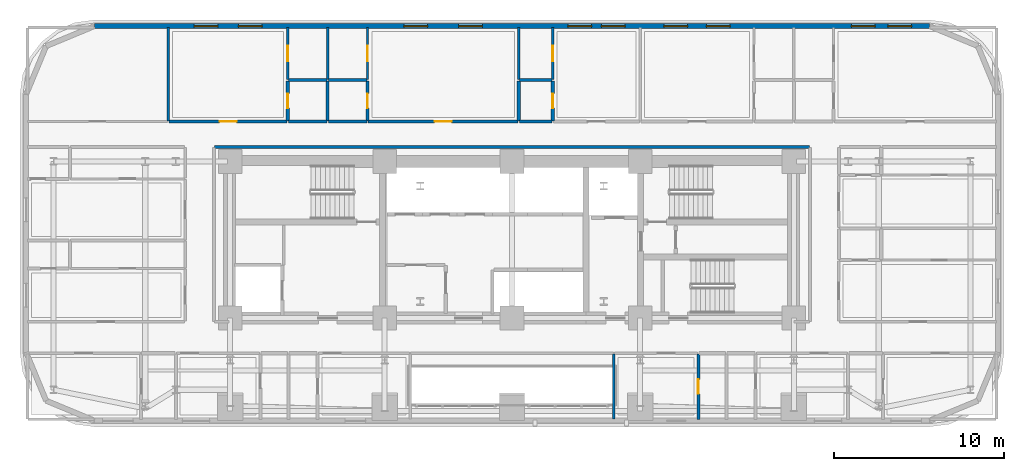
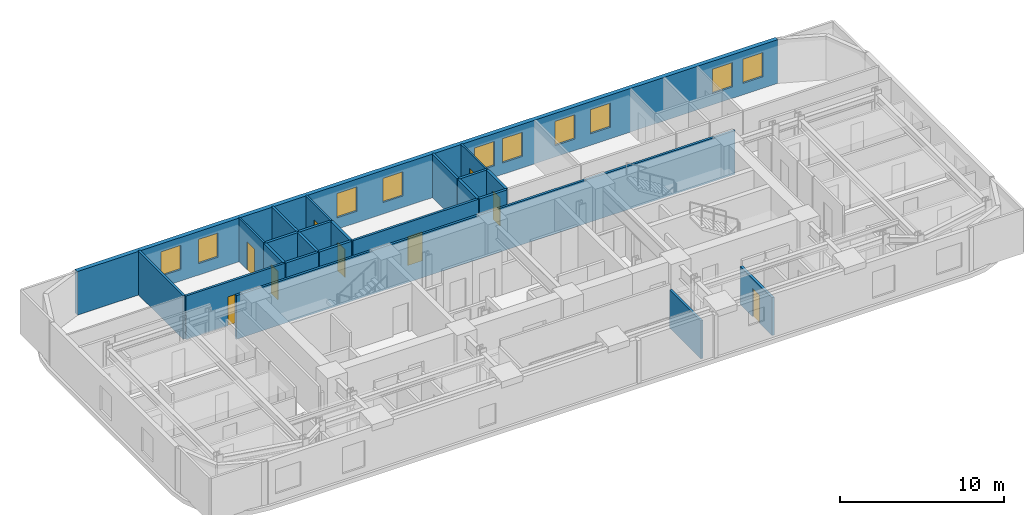
# One storey, part 9 of 16: 23 walls, 10 windows, 9 doors, 19 openings.
"""IFC4 building model written with IfcOpenShell, lengths in metres."""

from ifc_helpers import new_model, si_unit, direction, frame, frame_2d, origin, place, context, subcontext, project, spatial, rectangle, extrude, material, layer, layer_set, type_object, element, fill, save


model = new_model("IFC4")

# Units and contexts
model_context = context("Model", 3, precision=1e-05, world=origin(), true_north=direction((0.0, 1.0)))
body_context = subcontext(model_context, "Body", "Model", "MODEL_VIEW")
ifc_project = project(units=[si_unit("LENGTHUNIT", "METRE"), si_unit("AREAUNIT", "SQUARE_METRE"), si_unit("VOLUMEUNIT", "CUBIC_METRE"), si_unit("PLANEANGLEUNIT", "RADIAN"), si_unit("MASSUNIT", "GRAM", prefix="KILO")], contexts=[model_context])

# Site, building, storey
site_placement = place(None, origin())
site = spatial("IfcSite", under=ifc_project, at=site_placement, CompositionType="ELEMENT")
building_placement = place(site_placement, origin())
building = spatial("IfcBuilding", under=site, at=building_placement, Name="Zarnavel Station Tower", CompositionType="ELEMENT")
storey_placement = place(building_placement, frame((0.0, 0.0, 39.5)))
storey = spatial("IfcBuildingStorey", under=building, at=storey_placement, Name="L10", CompositionType="ELEMENT", Elevation=39.5)

# Wall, openings, windows
ifc_material_1 = material(Name="Precast concrete C45/55 (Dark Basalt Finish)", Category="masonry")
ifc_layer_1 = layer(ifc_material_1, 0.300048828125)
ifc_layer_set_1 = layer_set([ifc_layer_1], Name="EW_BASALT_300")
wall_type_1 = type_object("IfcWallType", Name="EW_BASALT_300", PredefinedType="SOLIDWALL", material=ifc_layer_set_1)
wall_1_placement = place(storey_placement, frame((4.199951171875, 45.02001953125, 0.0), z_axis=(0.0, 0.0, 1.0), x_axis=(1.0, 0.0, 0.0)))
wall_1 = element("IfcWall", 1, at=wall_1_placement, inside=storey, type_object=wall_type_1, Name="L10 Exterior Basalt Masonry Frame Wall 06", PredefinedType="SOLIDWALL", context=body_context, shape_type="SweptSolid", body=[
    extrude(rectangle(XDim=49.199951171875, YDim=0.300048828125, at=frame_2d((24.60009765625, 0.0))), origin(), (0.0, 0.0, 1.0), 3.239990234375),
])
opening_1_placement = place(wall_1_placement, frame((5.870361328125, 0.0, 0.85009765625)))
opening_1 = element("IfcOpeningElement", 2, at=opening_1_placement, cuts=wall_1, Name="Opening WN01", PredefinedType="OPENING", context=body_context, shape_type="SweptSolid", body=[
    extrude(rectangle(XDim=1.39990234375, YDim=1.800048828125, at=frame_2d((0.699951171875, 0.89990234375))), frame((0.0, 0.159912109375, 0.0), z_axis=(0.0, -1.0, 0.0), x_axis=(1.0, 0.0, 0.0)), (0.0, 0.0, 1.0), 0.320068359375),
])
opening_2_placement = place(wall_1_placement, frame((8.480712890625, 0.0, 0.85009765625)))
opening_2 = element("IfcOpeningElement", 3, at=opening_2_placement, cuts=wall_1, Name="Opening WN01", PredefinedType="OPENING", context=body_context, shape_type="SweptSolid", body=[
    extrude(rectangle(XDim=1.39990234375, YDim=1.800048828125, at=frame_2d((0.699951171875, 0.89990234375))), frame((0.0, 0.159912109375, 0.0), z_axis=(0.0, -1.0, 0.0), x_axis=(1.0, 0.0, 0.0)), (0.0, 0.0, 1.0), 0.320068359375),
])
opening_3_placement = place(wall_1_placement, frame((18.226806640625, 0.0, 0.85009765625)))
opening_3 = element("IfcOpeningElement", 4, at=opening_3_placement, cuts=wall_1, Name="Opening WN01", PredefinedType="OPENING", context=body_context, shape_type="SweptSolid", body=[
    extrude(rectangle(XDim=1.39990234375, YDim=1.800048828125, at=frame_2d((0.699951171875, 0.89990234375))), frame((0.0, 0.159912109375, 0.0), z_axis=(0.0, -1.0, 0.0), x_axis=(1.0, 0.0, 0.0)), (0.0, 0.0, 1.0), 0.320068359375),
])
opening_4_placement = place(wall_1_placement, frame((21.46240234375, 0.0, 0.85009765625)))
opening_4 = element("IfcOpeningElement", 5, at=opening_4_placement, cuts=wall_1, Name="Opening WN01", PredefinedType="OPENING", context=body_context, shape_type="SweptSolid", body=[
    extrude(rectangle(XDim=1.39990234375, YDim=1.800048828125, at=frame_2d((0.699951171875, 0.89990234375))), frame((0.0, 0.159912109375, 0.0), z_axis=(0.0, -1.0, 0.0), x_axis=(1.0, 0.0, 0.0)), (0.0, 0.0, 1.0), 0.320068359375),
])
opening_5_placement = place(wall_1_placement, frame((27.884033203125, 0.0, 0.85009765625)))
opening_5 = element("IfcOpeningElement", 6, at=opening_5_placement, cuts=wall_1, Name="Opening WN01", PredefinedType="OPENING", context=body_context, shape_type="SweptSolid", body=[
    extrude(rectangle(XDim=1.39990234375, YDim=1.800048828125, at=frame_2d((0.699951171875, 0.89990234375))), frame((0.0, 0.159912109375, 0.0), z_axis=(0.0, -1.0, 0.0), x_axis=(1.0, 0.0, 0.0)), (0.0, 0.0, 1.0), 0.320068359375),
])
opening_6_placement = place(wall_1_placement, frame((29.866943359375, 0.0, 0.85009765625)))
opening_6 = element("IfcOpeningElement", 7, at=opening_6_placement, cuts=wall_1, Name="Opening WN01", PredefinedType="OPENING", context=body_context, shape_type="SweptSolid", body=[
    extrude(rectangle(XDim=1.39990234375, YDim=1.800048828125, at=frame_2d((0.699951171875, 0.89990234375))), frame((0.0, 0.159912109375, 0.0), z_axis=(0.0, -1.0, 0.0), x_axis=(1.0, 0.0, 0.0)), (0.0, 0.0, 1.0), 0.320068359375),
])
opening_7_placement = place(wall_1_placement, frame((33.550048828125, 0.0, 0.85009765625)))
opening_7 = element("IfcOpeningElement", 8, at=opening_7_placement, cuts=wall_1, Name="Opening WN01", PredefinedType="OPENING", context=body_context, shape_type="SweptSolid", body=[
    extrude(rectangle(XDim=1.39990234375, YDim=1.800048828125, at=frame_2d((0.699951171875, 0.89990234375))), frame((0.0, 0.159912109375, 0.0), z_axis=(0.0, -1.0, 0.0), x_axis=(1.0, 0.0, 0.0)), (0.0, 0.0, 1.0), 0.320068359375),
])
opening_8_placement = place(wall_1_placement, frame((36.050048828125, 0.0, 0.85009765625)))
opening_8 = element("IfcOpeningElement", 9, at=opening_8_placement, cuts=wall_1, Name="Opening WN01", PredefinedType="OPENING", context=body_context, shape_type="SweptSolid", body=[
    extrude(rectangle(XDim=1.39990234375, YDim=1.800048828125, at=frame_2d((0.699951171875, 0.89990234375))), frame((0.0, 0.159912109375, 0.0), z_axis=(0.0, -1.0, 0.0), x_axis=(1.0, 0.0, 0.0)), (0.0, 0.0, 1.0), 0.320068359375),
])
opening_9_placement = place(wall_1_placement, frame((44.59326171875, 0.0, 0.85009765625)))
opening_9 = element("IfcOpeningElement", 10, at=opening_9_placement, cuts=wall_1, Name="Opening WN01", PredefinedType="OPENING", context=body_context, shape_type="SweptSolid", body=[
    extrude(rectangle(XDim=1.39990234375, YDim=1.800048828125, at=frame_2d((0.699951171875, 0.89990234375))), frame((0.0, 0.159912109375, 0.0), z_axis=(0.0, -1.0, 0.0), x_axis=(1.0, 0.0, 0.0)), (0.0, 0.0, 1.0), 0.320068359375),
])
opening_10_placement = place(wall_1_placement, frame((46.73681640625, 0.0, 0.85009765625)))
opening_10 = element("IfcOpeningElement", 11, at=opening_10_placement, cuts=wall_1, Name="Opening WN01", PredefinedType="OPENING", context=body_context, shape_type="SweptSolid", body=[
    extrude(rectangle(XDim=1.39990234375, YDim=1.800048828125, at=frame_2d((0.699951171875, 0.89990234375))), frame((0.0, 0.159912109375, 0.0), z_axis=(0.0, -1.0, 0.0), x_axis=(1.0, 0.0, 0.0)), (0.0, 0.0, 1.0), 0.320068359375),
])
ifc_material_2 = material(Name="Thermally Broken Black Aluminium and Low-E Dark Glass", Category="aluminium")
window_type = type_object("IfcWindowType", Name="WN_1400x1800", PartitioningType="DOUBLE_PANEL_VERTICAL", PredefinedType="WINDOW", material=ifc_material_2)
window_1_placement = place(opening_1_placement, origin())
window_1 = element("IfcWindow", 12, at=window_1_placement, inside=storey, type_object=window_type, Name="L10 Recessed Facade Window 01", OverallHeight=1.800048828125, OverallWidth=1.39990234375, PartitioningType="SINGLE_PANEL", PredefinedType="WINDOW", context=body_context, shape_type="SweptSolid", body=[
    extrude(rectangle(XDim=1.39990234375, YDim=1.800048828125, at=frame_2d((0.699951171875, 0.89990234375))), frame((0.0, 0.030029296875, 0.0), z_axis=(0.0, -1.0, 0.0), x_axis=(1.0, 0.0, 0.0)), (0.0, 0.0, 1.0), 0.06005859375),
])
fill(opening_1, window_1)
window_2_placement = place(opening_2_placement, origin())
window_2 = element("IfcWindow", 13, at=window_2_placement, inside=storey, type_object=window_type, Name="L10 Recessed Facade Window 02", OverallHeight=1.800048828125, OverallWidth=1.39990234375, PartitioningType="SINGLE_PANEL", PredefinedType="WINDOW", context=body_context, shape_type="SweptSolid", body=[
    extrude(rectangle(XDim=1.39990234375, YDim=1.800048828125, at=frame_2d((0.699951171875, 0.89990234375))), frame((0.0, 0.030029296875, 0.0), z_axis=(0.0, -1.0, 0.0), x_axis=(1.0, 0.0, 0.0)), (0.0, 0.0, 1.0), 0.06005859375),
])
fill(opening_2, window_2)
window_3_placement = place(opening_3_placement, origin())
window_3 = element("IfcWindow", 14, at=window_3_placement, inside=storey, type_object=window_type, Name="L10 Recessed Facade Window 03", OverallHeight=1.800048828125, OverallWidth=1.39990234375, PartitioningType="SINGLE_PANEL", PredefinedType="WINDOW", context=body_context, shape_type="SweptSolid", body=[
    extrude(rectangle(XDim=1.39990234375, YDim=1.800048828125, at=frame_2d((0.699951171875, 0.89990234375))), frame((0.0, 0.030029296875, 0.0), z_axis=(0.0, -1.0, 0.0), x_axis=(1.0, 0.0, 0.0)), (0.0, 0.0, 1.0), 0.06005859375),
])
fill(opening_3, window_3)
window_4_placement = place(opening_4_placement, origin())
window_4 = element("IfcWindow", 15, at=window_4_placement, inside=storey, type_object=window_type, Name="L10 Recessed Facade Window 04", OverallHeight=1.800048828125, OverallWidth=1.39990234375, PartitioningType="SINGLE_PANEL", PredefinedType="WINDOW", context=body_context, shape_type="SweptSolid", body=[
    extrude(rectangle(XDim=1.39990234375, YDim=1.800048828125, at=frame_2d((0.699951171875, 0.89990234375))), frame((0.0, 0.030029296875, 0.0), z_axis=(0.0, -1.0, 0.0), x_axis=(1.0, 0.0, 0.0)), (0.0, 0.0, 1.0), 0.06005859375),
])
fill(opening_4, window_4)
window_5_placement = place(opening_5_placement, origin())
window_5 = element("IfcWindow", 16, at=window_5_placement, inside=storey, type_object=window_type, Name="L10 Recessed Facade Window 05", OverallHeight=1.800048828125, OverallWidth=1.39990234375, PartitioningType="SINGLE_PANEL", PredefinedType="WINDOW", context=body_context, shape_type="SweptSolid", body=[
    extrude(rectangle(XDim=1.39990234375, YDim=1.800048828125, at=frame_2d((0.699951171875, 0.89990234375))), frame((0.0, 0.030029296875, 0.0), z_axis=(0.0, -1.0, 0.0), x_axis=(1.0, 0.0, 0.0)), (0.0, 0.0, 1.0), 0.06005859375),
])
fill(opening_5, window_5)
window_6_placement = place(opening_6_placement, origin())
window_6 = element("IfcWindow", 17, at=window_6_placement, inside=storey, type_object=window_type, Name="L10 Recessed Facade Window 06", OverallHeight=1.800048828125, OverallWidth=1.39990234375, PartitioningType="SINGLE_PANEL", PredefinedType="WINDOW", context=body_context, shape_type="SweptSolid", body=[
    extrude(rectangle(XDim=1.39990234375, YDim=1.800048828125, at=frame_2d((0.699951171875, 0.89990234375))), frame((0.0, 0.030029296875, 0.0), z_axis=(0.0, -1.0, 0.0), x_axis=(1.0, 0.0, 0.0)), (0.0, 0.0, 1.0), 0.06005859375),
])
fill(opening_6, window_6)
window_7_placement = place(opening_7_placement, origin())
window_7 = element("IfcWindow", 18, at=window_7_placement, inside=storey, type_object=window_type, Name="L10 Recessed Facade Window 07", OverallHeight=1.800048828125, OverallWidth=1.39990234375, PartitioningType="SINGLE_PANEL", PredefinedType="WINDOW", context=body_context, shape_type="SweptSolid", body=[
    extrude(rectangle(XDim=1.39990234375, YDim=1.800048828125, at=frame_2d((0.699951171875, 0.89990234375))), frame((0.0, 0.030029296875, 0.0), z_axis=(0.0, -1.0, 0.0), x_axis=(1.0, 0.0, 0.0)), (0.0, 0.0, 1.0), 0.06005859375),
])
fill(opening_7, window_7)
window_8_placement = place(opening_8_placement, origin())
window_8 = element("IfcWindow", 19, at=window_8_placement, inside=storey, type_object=window_type, Name="L10 Recessed Facade Window 08", OverallHeight=1.800048828125, OverallWidth=1.39990234375, PartitioningType="SINGLE_PANEL", PredefinedType="WINDOW", context=body_context, shape_type="SweptSolid", body=[
    extrude(rectangle(XDim=1.39990234375, YDim=1.800048828125, at=frame_2d((0.699951171875, 0.89990234375))), frame((0.0, 0.030029296875, 0.0), z_axis=(0.0, -1.0, 0.0), x_axis=(1.0, 0.0, 0.0)), (0.0, 0.0, 1.0), 0.06005859375),
])
fill(opening_8, window_8)
window_9_placement = place(opening_9_placement, origin())
window_9 = element("IfcWindow", 20, at=window_9_placement, inside=storey, type_object=window_type, Name="L10 Recessed Facade Window 09", OverallHeight=1.800048828125, OverallWidth=1.39990234375, PartitioningType="SINGLE_PANEL", PredefinedType="WINDOW", context=body_context, shape_type="SweptSolid", body=[
    extrude(rectangle(XDim=1.39990234375, YDim=1.800048828125, at=frame_2d((0.699951171875, 0.89990234375))), frame((0.0, 0.030029296875, 0.0), z_axis=(0.0, -1.0, 0.0), x_axis=(1.0, 0.0, 0.0)), (0.0, 0.0, 1.0), 0.06005859375),
])
fill(opening_9, window_9)
window_10_placement = place(opening_10_placement, origin())
window_10 = element("IfcWindow", 21, at=window_10_placement, inside=storey, type_object=window_type, Name="L10 Recessed Facade Window 10", OverallHeight=1.800048828125, OverallWidth=1.39990234375, PartitioningType="SINGLE_PANEL", PredefinedType="WINDOW", context=body_context, shape_type="SweptSolid", body=[
    extrude(rectangle(XDim=1.39990234375, YDim=1.800048828125, at=frame_2d((0.699951171875, 0.89990234375))), frame((0.0, 0.030029296875, 0.0), z_axis=(0.0, -1.0, 0.0), x_axis=(1.0, 0.0, 0.0)), (0.0, 0.0, 1.0), 0.06005859375),
])
fill(opening_10, window_10)

# Wall, opening, door
ifc_material_3 = material(Name="Gypsum Twin-Stud Acoustic Fire Partition", Category="concrete")
ifc_layer_2 = layer(ifc_material_3, 0.159912109375)
ifc_layer_set_2 = layer_set([ifc_layer_2], Name="PT_DEMISE_160")
wall_type_2 = type_object("IfcWallType", Name="PT_DEMISE_160", PredefinedType="PARTITIONING", material=ifc_layer_set_2)
wall_2_placement = place(storey_placement, frame((8.60009765625, 39.39990234375, 0.0), z_axis=(0.0, 0.0, 1.0), x_axis=(1.0, 0.0, 0.0)))
wall_2 = element("IfcWall", 22, at=wall_2_placement, inside=storey, type_object=wall_type_2, Name="L10 Partition COR-N-HN1R", PredefinedType="PARTITIONING", context=body_context, shape_type="SweptSolid", body=[
    extrude(rectangle(XDim=6.950927734375, YDim=0.159912109375, at=frame_2d((3.4755859375, 0.0))), origin(), (0.0, 0.0, 1.0), 3.239990234375),
])
opening_11_placement = place(wall_2_placement, frame((2.9755859375, 0.0, 0.0)))
opening_11 = element("IfcOpeningElement", 23, at=opening_11_placement, cuts=wall_2, Name="Opening FD02", PredefinedType="OPENING", context=body_context, shape_type="SweptSolid", body=[
    extrude(rectangle(XDim=1.0, YDim=2.14990234375, at=frame_2d((0.5, 1.074951171875))), frame((0.0, 0.08984375, 0.0), z_axis=(0.0, -1.0, 0.0), x_axis=(1.0, 0.0, 0.0)), (0.0, 0.0, 1.0), 0.179931640625),
])
ifc_material_4 = material(Name="Painted Galvanised Steel and Hardwood Leaf", Category="steel")
door_type_1 = type_object("IfcDoorType", Name="ID_ENTRY_1000", OperationType="NOTDEFINED", PredefinedType="DOOR", material=ifc_material_4)
door_1_placement = place(opening_11_placement, origin())
door_1 = element("IfcDoor", 24, at=door_1_placement, inside=storey, type_object=door_type_1, Name="L10 Door COR-N-HN1R", OperationType="SINGLE_SWING_RIGHT", OverallHeight=2.14990234375, OverallWidth=1.0, PredefinedType="DOOR", context=body_context, shape_type="SweptSolid", body=[
    extrude(rectangle(XDim=1.0, YDim=2.14990234375, at=frame_2d((0.5, 1.074951171875))), frame((0.0, 0.02490234375, 0.0), z_axis=(0.0, -1.0, 0.0), x_axis=(1.0, 0.0, 0.0)), (0.0, 0.0, 1.0), 0.050048828125),
])
fill(opening_11, door_1)

wall_3_placement = place(storey_placement, frame((20.3310546875, 39.39990234375, 0.0), z_axis=(0.0, 0.0, 1.0), x_axis=(1.0, 0.0, 0.0)))
wall_3 = element("IfcWall", 25, at=wall_3_placement, inside=storey, type_object=wall_type_2, Name="L10 Partition COR-N-HN2R", PredefinedType="PARTITIONING", context=body_context, shape_type="SweptSolid", body=[
    extrude(rectangle(XDim=8.826904296875, YDim=0.159912109375, at=frame_2d((4.41357421875, 0.0))), origin(), (0.0, 0.0, 1.0), 3.239990234375),
])
opening_12_placement = place(wall_3_placement, frame((3.91357421875, 0.0, 0.0)))
opening_12 = element("IfcOpeningElement", 26, at=opening_12_placement, cuts=wall_3, Name="Opening FD02", PredefinedType="OPENING", context=body_context, shape_type="SweptSolid", body=[
    extrude(rectangle(XDim=1.0, YDim=2.14990234375, at=frame_2d((0.5, 1.074951171875))), frame((0.0, 0.08984375, 0.0), z_axis=(0.0, -1.0, 0.0), x_axis=(1.0, 0.0, 0.0)), (0.0, 0.0, 1.0), 0.179931640625),
])
door_2_placement = place(opening_12_placement, origin())
door_2 = element("IfcDoor", 27, at=door_2_placement, inside=storey, type_object=door_type_1, Name="L10 Door COR-N-HN2R", OperationType="SINGLE_SWING_LEFT", OverallHeight=2.14990234375, OverallWidth=1.0, PredefinedType="DOOR", context=body_context, shape_type="SweptSolid", body=[
    extrude(rectangle(XDim=1.0, YDim=2.14990234375, at=frame_2d((0.5, 1.074951171875))), frame((0.0, 0.02490234375, 0.0), z_axis=(0.0, -1.0, 0.0), x_axis=(1.0, 0.0, 0.0)), (0.0, 0.0, 1.0), 0.050048828125),
])
fill(opening_12, door_2)

# Walls
wall_4_placement = place(storey_placement, frame((8.56005859375, 39.43994140625, 0.0), z_axis=(0.0, 0.0, 1.0), x_axis=(0.0, 1.0, 0.0)))
element("IfcWall", 28, at=wall_4_placement, inside=storey, type_object=wall_type_2, Name="L10 Partition HSKP-HN1R", PredefinedType="PARTITIONING", context=body_context, shape_type="SweptSolid", body=[
    extrude(rectangle(XDim=5.5, YDim=0.159912109375, at=frame_2d((2.75, 0.0))), origin(), (0.0, 0.0, 1.0), 3.239990234375),
])
for number, where, z_axis, x_axis, name in (
    (29, (17.94091796875, 41.8779296875, 0.0), (0.0, 0.0, 1.0), (0.0, 1.0, 0.0), "L10 Partition HN1S-HN2S"),
    (30, (29.197998046875, 41.8779296875, 0.0), (0.0, 0.0, 1.0), (0.0, 1.0, 0.0), "L10 Partition HN2R-HN3S"),
):
    element("IfcWall", number, at=place(storey_placement, frame(where, z_axis=z_axis, x_axis=x_axis)), inside=storey, type_object=wall_type_2, Name=name, PredefinedType="PARTITIONING", context=body_context, shape_type="SweptSolid", body=[
        extrude(rectangle(XDim=3.06201171875, YDim=0.159912109375, at=frame_2d((1.531005859375, 0.0))), origin(), (0.0, 0.0, 1.0), 3.239990234375),
    ])
wall_5_placement = place(storey_placement, frame((11.280029296875, 37.89990234375, 0.0), z_axis=(0.0, 0.0, 1.0), x_axis=(1.0, 0.0, 0.0)))
element("IfcWall", 31, at=wall_5_placement, inside=storey, type_object=wall_type_2, Name="L10 Enclosure Wall COR-N", PredefinedType="PARTITIONING", context=body_context, shape_type="SweptSolid", body=[
    extrude(rectangle(XDim=35.0400390625, YDim=0.159912109375, at=frame_2d((17.52001953125, 0.0))), origin(), (0.0, 0.0, 1.0), 3.239990234375),
])
wall_6_placement = place(storey_placement, frame((34.800048828125, 21.889892578125, 0.0), z_axis=(0.0, 0.0, 1.0), x_axis=(0.0, 1.0, 0.0)))
element("IfcWall", 32, at=wall_6_placement, inside=storey, type_object=wall_type_2, Name="L10 Enclosure Wall HE1R", PredefinedType="PARTITIONING", context=body_context, shape_type="SweptSolid", body=[
    extrude(rectangle(XDim=3.830078125, YDim=0.159912109375, at=frame_2d((1.9150390625, 0.0))), origin(), (0.0, 0.0, 1.0), 2.820068359375),
])

# Wall, opening, door
ifc_material_5 = material(Name="Gypsum Metal-Stud Interior Partition", Category="concrete")
ifc_layer_3 = layer(ifc_material_5, 0.1201171875)
ifc_layer_set_3 = layer_set([ifc_layer_3], Name="PT_ROOM_120")
wall_type_3 = type_object("IfcWallType", Name="PT_ROOM_120", PredefinedType="PARTITIONING", material=ifc_layer_set_3)
wall_7_placement = place(storey_placement, frame((15.591064453125, 41.8779296875, 0.0), z_axis=(0.0, 0.0, 1.0), x_axis=(0.0, 1.0, 0.0)))
wall_7 = element("IfcWall", 33, at=wall_7_placement, inside=storey, type_object=wall_type_3, Name="L10 Partition HN1R-HN1S", PredefinedType="PARTITIONING", context=body_context, shape_type="SweptSolid", body=[
    extrude(rectangle(XDim=3.06201171875, YDim=0.1201171875, at=frame_2d((1.531005859375, 0.0))), origin(), (0.0, 0.0, 1.0), 3.239990234375),
])
opening_13_placement = place(wall_7_placement, frame((1.0810546875, 0.0, 0.0)))
opening_13 = element("IfcOpeningElement", 34, at=opening_13_placement, cuts=wall_7, Name="Opening ID01", PredefinedType="OPENING", context=body_context, shape_type="SweptSolid", body=[
    extrude(rectangle(XDim=0.89990234375, YDim=2.10009765625, at=frame_2d((0.449951171875, 1.050048828125))), frame((0.0, 0.070068359375, 0.0), z_axis=(0.0, -1.0, 0.0), x_axis=(1.0, 0.0, 0.0)), (0.0, 0.0, 1.0), 0.14013671875),
])
ifc_material_6 = material(Name="Painted Galvanised Steel and Hardwood Leaf", Category="steel")
door_type_2 = type_object("IfcDoorType", Name="ID_ROOM_900", OperationType="NOTDEFINED", PredefinedType="DOOR", material=ifc_material_6)
door_3_placement = place(opening_13_placement, origin())
door_3 = element("IfcDoor", 35, at=door_3_placement, inside=storey, type_object=door_type_2, Name="L10 Door HN1R-HN1S", OperationType="SINGLE_SWING_RIGHT", OverallHeight=2.10009765625, OverallWidth=0.89990234375, PredefinedType="DOOR", context=body_context, shape_type="SweptSolid", body=[
    extrude(rectangle(XDim=0.89990234375, YDim=2.10009765625, at=frame_2d((0.449951171875, 1.050048828125))), frame((0.0, 0.02490234375, 0.0), z_axis=(0.0, -1.0, 0.0), x_axis=(1.0, 0.0, 0.0)), (0.0, 0.0, 1.0), 0.050048828125),
])
fill(opening_13, door_3)

wall_8_placement = place(storey_placement, frame((20.291015625, 41.8779296875, 0.0), z_axis=(0.0, 0.0, 1.0), x_axis=(0.0, 1.0, 0.0)))
wall_8 = element("IfcWall", 36, at=wall_8_placement, inside=storey, type_object=wall_type_3, Name="L10 Partition HN2R-HN2S", PredefinedType="PARTITIONING", context=body_context, shape_type="SweptSolid", body=[
    extrude(rectangle(XDim=3.06201171875, YDim=0.1201171875, at=frame_2d((1.531005859375, 0.0))), origin(), (0.0, 0.0, 1.0), 3.239990234375),
])
opening_14_placement = place(wall_8_placement, frame((1.0810546875, 0.0, 0.0)))
opening_14 = element("IfcOpeningElement", 37, at=opening_14_placement, cuts=wall_8, Name="Opening ID01", PredefinedType="OPENING", context=body_context, shape_type="SweptSolid", body=[
    extrude(rectangle(XDim=0.89990234375, YDim=2.10009765625, at=frame_2d((0.449951171875, 1.050048828125))), frame((0.0, 0.070068359375, 0.0), z_axis=(0.0, -1.0, 0.0), x_axis=(1.0, 0.0, 0.0)), (0.0, 0.0, 1.0), 0.14013671875),
])
door_4_placement = place(opening_14_placement, origin())
door_4 = element("IfcDoor", 38, at=door_4_placement, inside=storey, type_object=door_type_2, Name="L10 Door HN2R-HN2S", OperationType="SINGLE_SWING_RIGHT", OverallHeight=2.10009765625, OverallWidth=0.89990234375, PredefinedType="DOOR", context=body_context, shape_type="SweptSolid", body=[
    extrude(rectangle(XDim=0.89990234375, YDim=2.10009765625, at=frame_2d((0.449951171875, 1.050048828125))), frame((0.0, 0.02490234375, 0.0), z_axis=(0.0, -1.0, 0.0), x_axis=(1.0, 0.0, 0.0)), (0.0, 0.0, 1.0), 0.050048828125),
])
fill(opening_14, door_4)

wall_9_placement = place(storey_placement, frame((31.200927734375, 41.8779296875, 0.0), z_axis=(0.0, 0.0, 1.0), x_axis=(0.0, 1.0, 0.0)))
wall_9 = element("IfcWall", 39, at=wall_9_placement, inside=storey, type_object=wall_type_3, Name="L10 Partition HN3R-HN3S", PredefinedType="PARTITIONING", context=body_context, shape_type="SweptSolid", body=[
    extrude(rectangle(XDim=3.06201171875, YDim=0.1201171875, at=frame_2d((1.531005859375, 0.0))), origin(), (0.0, 0.0, 1.0), 3.239990234375),
])
opening_15_placement = place(wall_9_placement, frame((1.0810546875, 0.0, 0.0)))
opening_15 = element("IfcOpeningElement", 40, at=opening_15_placement, cuts=wall_9, Name="Opening ID01", PredefinedType="OPENING", context=body_context, shape_type="SweptSolid", body=[
    extrude(rectangle(XDim=0.89990234375, YDim=2.10009765625, at=frame_2d((0.449951171875, 1.050048828125))), frame((0.0, 0.070068359375, 0.0), z_axis=(0.0, -1.0, 0.0), x_axis=(1.0, 0.0, 0.0)), (0.0, 0.0, 1.0), 0.14013671875),
])
door_5_placement = place(opening_15_placement, origin())
door_5 = element("IfcDoor", 41, at=door_5_placement, inside=storey, type_object=door_type_2, Name="L10 Door HN3R-HN3S", OperationType="SINGLE_SWING_RIGHT", OverallHeight=2.10009765625, OverallWidth=0.89990234375, PredefinedType="DOOR", context=body_context, shape_type="SweptSolid", body=[
    extrude(rectangle(XDim=0.89990234375, YDim=2.10009765625, at=frame_2d((0.449951171875, 1.050048828125))), frame((0.0, 0.02490234375, 0.0), z_axis=(0.0, -1.0, 0.0), x_axis=(1.0, 0.0, 0.0)), (0.0, 0.0, 1.0), 0.050048828125),
])
fill(opening_15, door_5)

# Walls
ifc_material_7 = material(Name="Moisture-Resistant Plumbing Chase Wall", Category="concrete")
ifc_layer_4 = layer(ifc_material_7, 0.179931640625)
ifc_layer_set_4 = layer_set([ifc_layer_4], Name="PW_PLUMB_180")
wall_type_4 = type_object("IfcWallType", Name="PW_PLUMB_180", PredefinedType="PLUMBINGWALL", material=ifc_layer_set_4)
wall_10_placement = place(storey_placement, frame((15.631103515625, 39.39990234375, 0.0), z_axis=(0.0, 0.0, 1.0), x_axis=(1.0, 0.0, 0.0)))
element("IfcWall", 42, at=wall_10_placement, inside=storey, type_object=wall_type_4, Name="L10 Partition COR-N-HN1B", PredefinedType="PLUMBINGWALL", context=body_context, shape_type="SweptSolid", body=[
    extrude(rectangle(XDim=2.269775390625, YDim=0.179931640625, at=frame_2d((1.134765625, 0.0))), origin(), (0.0, 0.0, 1.0), 3.239990234375),
])
wall_11_placement = place(storey_placement, frame((17.98095703125, 39.39990234375, 0.0), z_axis=(0.0, 0.0, 1.0), x_axis=(1.0, 0.0, 0.0)))
element("IfcWall", 43, at=wall_11_placement, inside=storey, type_object=wall_type_4, Name="L10 Partition COR-N-HN2B", PredefinedType="PLUMBINGWALL", context=body_context, shape_type="SweptSolid", body=[
    extrude(rectangle(XDim=2.27001953125, YDim=0.179931640625, at=frame_2d((1.135009765625, 0.0))), origin(), (0.0, 0.0, 1.0), 3.239990234375),
])
wall_12_placement = place(storey_placement, frame((29.238037109375, 39.39990234375, 0.0), z_axis=(0.0, 0.0, 1.0), x_axis=(1.0, 0.0, 0.0)))
element("IfcWall", 44, at=wall_12_placement, inside=storey, type_object=wall_type_4, Name="L10 Partition COR-N-HN3B", PredefinedType="PLUMBINGWALL", context=body_context, shape_type="SweptSolid", body=[
    extrude(rectangle(XDim=1.9228515625, YDim=0.179931640625, at=frame_2d((0.96142578125, 0.0))), origin(), (0.0, 0.0, 1.0), 3.239990234375),
])

# Wall, opening, door
wall_13_placement = place(storey_placement, frame((15.591064453125, 39.43994140625, 0.0), z_axis=(0.0, 0.0, 1.0), x_axis=(0.0, 1.0, 0.0)))
wall_13 = element("IfcWall", 45, at=wall_13_placement, inside=storey, type_object=wall_type_4, Name="L10 Partition HN1R-HN1B", PredefinedType="PLUMBINGWALL", context=body_context, shape_type="SweptSolid", body=[
    extrude(rectangle(XDim=2.358154296875, YDim=0.179931640625, at=frame_2d((1.17919921875, 0.0))), origin(), (0.0, 0.0, 1.0), 3.239990234375),
])
opening_16_placement = place(wall_13_placement, frame((0.75390625, 0.0, 0.0)))
opening_16 = element("IfcOpeningElement", 46, at=opening_16_placement, cuts=wall_13, Name="Opening ID02", PredefinedType="OPENING", context=body_context, shape_type="SweptSolid", body=[
    extrude(rectangle(XDim=0.85009765625, YDim=2.10009765625, at=frame_2d((0.425048828125, 1.050048828125))), frame((0.0, 0.099853515625, 0.0), z_axis=(0.0, -1.0, 0.0), x_axis=(1.0, 0.0, 0.0)), (0.0, 0.0, 1.0), 0.199951171875),
])
ifc_material_8 = material(Name="Painted Galvanised Steel and Hardwood Leaf", Category="steel")
door_type_3 = type_object("IfcDoorType", Name="ID_BATH_850", OperationType="NOTDEFINED", PredefinedType="DOOR", material=ifc_material_8)
door_6_placement = place(opening_16_placement, origin())
door_6 = element("IfcDoor", 47, at=door_6_placement, inside=storey, type_object=door_type_3, Name="L10 Door HN1R-HN1B", OperationType="SINGLE_SWING_LEFT", OverallHeight=2.10009765625, OverallWidth=0.85009765625, PredefinedType="DOOR", context=body_context, shape_type="SweptSolid", body=[
    extrude(rectangle(XDim=0.85009765625, YDim=2.10009765625, at=frame_2d((0.425048828125, 1.050048828125))), frame((0.0, 0.02490234375, 0.0), z_axis=(0.0, -1.0, 0.0), x_axis=(1.0, 0.0, 0.0)), (0.0, 0.0, 1.0), 0.050048828125),
])
fill(opening_16, door_6)

# Walls
wall_14_placement = place(storey_placement, frame((15.631103515625, 41.837890625, 0.0), z_axis=(0.0, 0.0, 1.0), x_axis=(1.0, 0.0, 0.0)))
element("IfcWall", 48, at=wall_14_placement, inside=storey, type_object=wall_type_4, Name="L10 Partition HN1B-HN1S", PredefinedType="PLUMBINGWALL", context=body_context, shape_type="SweptSolid", body=[
    extrude(rectangle(XDim=2.269775390625, YDim=0.179931640625, at=frame_2d((1.134765625, 0.0))), origin(), (0.0, 0.0, 1.0), 3.239990234375),
])
wall_15_placement = place(storey_placement, frame((17.94091796875, 39.43994140625, 0.0), z_axis=(0.0, 0.0, 1.0), x_axis=(0.0, 1.0, 0.0)))
element("IfcWall", 49, at=wall_15_placement, inside=storey, type_object=wall_type_4, Name="L10 Partition HN1B-HN2B", PredefinedType="PLUMBINGWALL", context=body_context, shape_type="SweptSolid", body=[
    extrude(rectangle(XDim=2.358154296875, YDim=0.179931640625, at=frame_2d((1.17919921875, 0.0))), origin(), (0.0, 0.0, 1.0), 3.239990234375),
])

# Wall, opening, door
wall_16_placement = place(storey_placement, frame((20.291015625, 39.43994140625, 0.0), z_axis=(0.0, 0.0, 1.0), x_axis=(0.0, 1.0, 0.0)))
wall_16 = element("IfcWall", 50, at=wall_16_placement, inside=storey, type_object=wall_type_4, Name="L10 Partition HN2R-HN2B", PredefinedType="PLUMBINGWALL", context=body_context, shape_type="SweptSolid", body=[
    extrude(rectangle(XDim=2.358154296875, YDim=0.179931640625, at=frame_2d((1.17919921875, 0.0))), origin(), (0.0, 0.0, 1.0), 3.239990234375),
])
opening_17_placement = place(wall_16_placement, frame((0.75390625, 0.0, 0.0)))
opening_17 = element("IfcOpeningElement", 51, at=opening_17_placement, cuts=wall_16, Name="Opening ID02", PredefinedType="OPENING", context=body_context, shape_type="SweptSolid", body=[
    extrude(rectangle(XDim=0.85009765625, YDim=2.10009765625, at=frame_2d((0.425048828125, 1.050048828125))), frame((0.0, 0.099853515625, 0.0), z_axis=(0.0, -1.0, 0.0), x_axis=(1.0, 0.0, 0.0)), (0.0, 0.0, 1.0), 0.199951171875),
])
door_7_placement = place(opening_17_placement, origin())
door_7 = element("IfcDoor", 52, at=door_7_placement, inside=storey, type_object=door_type_3, Name="L10 Door HN2R-HN2B", OperationType="SINGLE_SWING_LEFT", OverallHeight=2.10009765625, OverallWidth=0.85009765625, PredefinedType="DOOR", context=body_context, shape_type="SweptSolid", body=[
    extrude(rectangle(XDim=0.85009765625, YDim=2.10009765625, at=frame_2d((0.425048828125, 1.050048828125))), frame((0.0, 0.02490234375, 0.0), z_axis=(0.0, -1.0, 0.0), x_axis=(1.0, 0.0, 0.0)), (0.0, 0.0, 1.0), 0.050048828125),
])
fill(opening_17, door_7)

# Walls
wall_17_placement = place(storey_placement, frame((29.197998046875, 39.43994140625, 0.0), z_axis=(0.0, 0.0, 1.0), x_axis=(0.0, 1.0, 0.0)))
element("IfcWall", 53, at=wall_17_placement, inside=storey, type_object=wall_type_4, Name="L10 Partition HN2R-HN3B", PredefinedType="PLUMBINGWALL", context=body_context, shape_type="SweptSolid", body=[
    extrude(rectangle(XDim=2.358154296875, YDim=0.179931640625, at=frame_2d((1.17919921875, 0.0))), origin(), (0.0, 0.0, 1.0), 3.239990234375),
])
wall_18_placement = place(storey_placement, frame((17.98095703125, 41.837890625, 0.0), z_axis=(0.0, 0.0, 1.0), x_axis=(1.0, 0.0, 0.0)))
element("IfcWall", 54, at=wall_18_placement, inside=storey, type_object=wall_type_4, Name="L10 Partition HN2B-HN2S", PredefinedType="PLUMBINGWALL", context=body_context, shape_type="SweptSolid", body=[
    extrude(rectangle(XDim=2.27001953125, YDim=0.179931640625, at=frame_2d((1.135009765625, 0.0))), origin(), (0.0, 0.0, 1.0), 3.239990234375),
])

# Wall, opening, door
wall_19_placement = place(storey_placement, frame((31.200927734375, 39.43994140625, 0.0), z_axis=(0.0, 0.0, 1.0), x_axis=(0.0, 1.0, 0.0)))
wall_19 = element("IfcWall", 55, at=wall_19_placement, inside=storey, type_object=wall_type_4, Name="L10 Partition HN3R-HN3B", PredefinedType="PLUMBINGWALL", context=body_context, shape_type="SweptSolid", body=[
    extrude(rectangle(XDim=2.358154296875, YDim=0.179931640625, at=frame_2d((1.17919921875, 0.0))), origin(), (0.0, 0.0, 1.0), 3.239990234375),
])
opening_18_placement = place(wall_19_placement, frame((0.75390625, 0.0, 0.0)))
opening_18 = element("IfcOpeningElement", 56, at=opening_18_placement, cuts=wall_19, Name="Opening ID02", PredefinedType="OPENING", context=body_context, shape_type="SweptSolid", body=[
    extrude(rectangle(XDim=0.85009765625, YDim=2.10009765625, at=frame_2d((0.425048828125, 1.050048828125))), frame((0.0, 0.099853515625, 0.0), z_axis=(0.0, -1.0, 0.0), x_axis=(1.0, 0.0, 0.0)), (0.0, 0.0, 1.0), 0.199951171875),
])
door_8_placement = place(opening_18_placement, origin())
door_8 = element("IfcDoor", 57, at=door_8_placement, inside=storey, type_object=door_type_3, Name="L10 Door HN3R-HN3B", OperationType="SINGLE_SWING_LEFT", OverallHeight=2.10009765625, OverallWidth=0.85009765625, PredefinedType="DOOR", context=body_context, shape_type="SweptSolid", body=[
    extrude(rectangle(XDim=0.85009765625, YDim=2.10009765625, at=frame_2d((0.425048828125, 1.050048828125))), frame((0.0, 0.02490234375, 0.0), z_axis=(0.0, -1.0, 0.0), x_axis=(1.0, 0.0, 0.0)), (0.0, 0.0, 1.0), 0.050048828125),
])
fill(opening_18, door_8)

# Wall
wall_20_placement = place(storey_placement, frame((29.238037109375, 41.837890625, 0.0), z_axis=(0.0, 0.0, 1.0), x_axis=(1.0, 0.0, 0.0)))
element("IfcWall", 58, at=wall_20_placement, inside=storey, type_object=wall_type_4, Name="L10 Partition HN3B-HN3S", PredefinedType="PLUMBINGWALL", context=body_context, shape_type="SweptSolid", body=[
    extrude(rectangle(XDim=1.9228515625, YDim=0.179931640625, at=frame_2d((0.96142578125, 0.0))), origin(), (0.0, 0.0, 1.0), 3.239990234375),
])

# Wall, opening, door
wall_21_placement = place(storey_placement, frame((39.779052734375, 21.860107421875, 0.0), z_axis=(0.0, 0.0, 1.0), x_axis=(0.0, 1.0, 0.0)))
wall_21 = element("IfcWall", 59, at=wall_21_placement, inside=storey, type_object=wall_type_4, Name="L10 Partition HE1R-HE1B", PredefinedType="PLUMBINGWALL", context=body_context, shape_type="SweptSolid", body=[
    extrude(rectangle(XDim=3.849853515625, YDim=0.179931640625, at=frame_2d((1.9248046875, 0.0))), origin(), (0.0, 0.0, 1.0), 2.820068359375),
])
opening_19_placement = place(wall_21_placement, frame((1.5, 0.0, 0.0)))
opening_19 = element("IfcOpeningElement", 60, at=opening_19_placement, cuts=wall_21, Name="Opening ID02", PredefinedType="OPENING", context=body_context, shape_type="SweptSolid", body=[
    extrude(rectangle(XDim=0.85009765625, YDim=2.10009765625, at=frame_2d((0.425048828125, 1.050048828125))), frame((0.0, 0.099853515625, 0.0), z_axis=(0.0, -1.0, 0.0), x_axis=(1.0, 0.0, 0.0)), (0.0, 0.0, 1.0), 0.199951171875),
])
door_9_placement = place(opening_19_placement, origin())
door_9 = element("IfcDoor", 61, at=door_9_placement, inside=storey, type_object=door_type_3, Name="L10 Door HE1R-HE1B", OperationType="SINGLE_SWING_RIGHT", OverallHeight=2.10009765625, OverallWidth=0.85009765625, PredefinedType="DOOR", context=body_context, shape_type="SweptSolid", body=[
    extrude(rectangle(XDim=0.85009765625, YDim=2.10009765625, at=frame_2d((0.425048828125, 1.050048828125))), frame((0.0, 0.02490234375, 0.0), z_axis=(0.0, -1.0, 0.0), x_axis=(1.0, 0.0, 0.0)), (0.0, 0.0, 1.0), 0.050048828125),
])
fill(opening_19, door_9)

save(model, "model.ifc")
